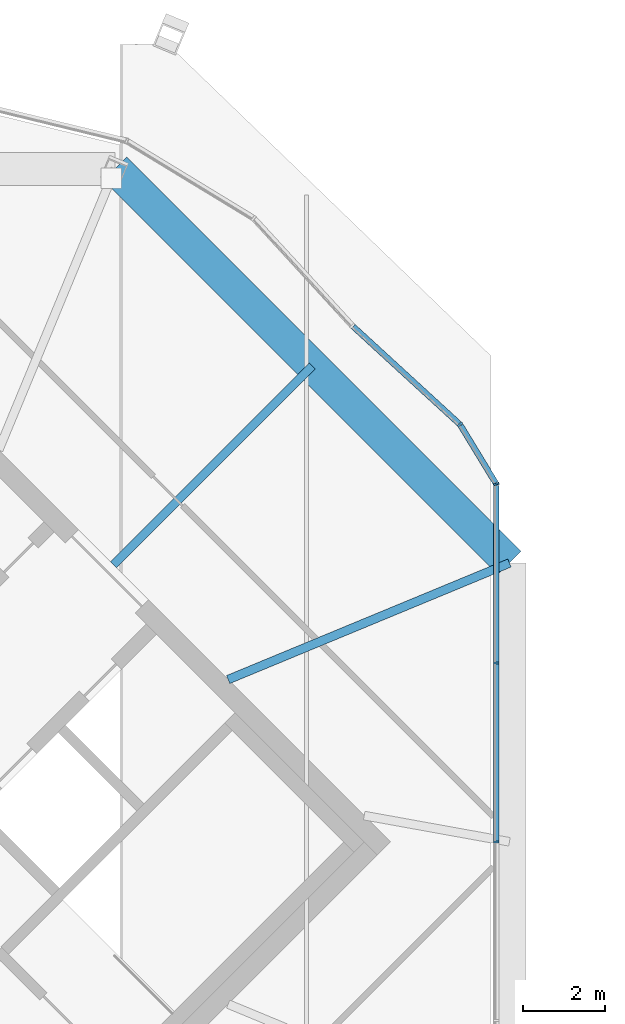
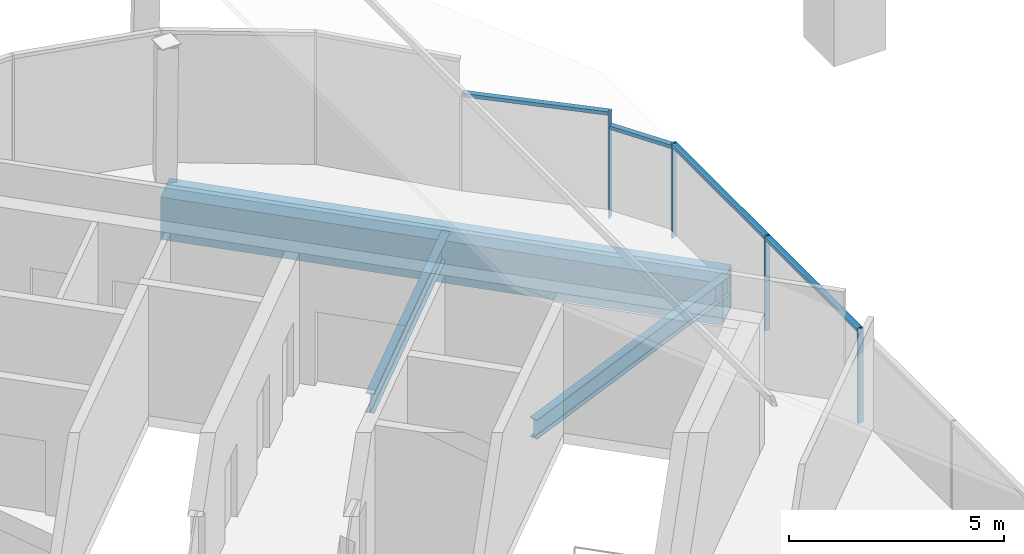
# One storey, part 15 of 23: 8 members, 3 beams, 1 element without a shape of its own.
"""IFC4 building model written with IfcOpenShell, lengths in metres."""

from ifc_helpers import new_model, si_unit, direction, frame, origin, origin_2d, place, context, subcontext, project, spatial, rectangle, hollow_rectangle, i_section, extrude, material, material_profile, profile_set, type_object, element, aggregate, save


model = new_model("IFC4")

# Units and contexts
model_context = context("Model", 3, precision=1e-05, world=origin(), true_north=direction((0.0, 1.0)))
body_context = subcontext(model_context, "Body", "Model", "MODEL_VIEW")
ifc_project = project(units=[si_unit("LENGTHUNIT", "METRE"), si_unit("AREAUNIT", "SQUARE_METRE"), si_unit("VOLUMEUNIT", "CUBIC_METRE"), si_unit("PLANEANGLEUNIT", "RADIAN"), si_unit("MASSUNIT", "GRAM", prefix="KILO")], contexts=[model_context])

# Site, building, storey
site_placement = place(None, origin())
site = spatial("IfcSite", under=ifc_project, at=site_placement, CompositionType="ELEMENT")
building_placement = place(site_placement, origin())
building = spatial("IfcBuilding", under=site, at=building_placement, Name="Ogive Gate Towers", CompositionType="ELEMENT")
storey_placement = place(building_placement, frame((0.0, 0.0, 302.0)))
storey = spatial("IfcBuildingStorey", under=building, at=storey_placement, Name="L71", CompositionType="ELEMENT", Elevation=302.0)

# Curtain wall, members
ifc_material_1 = material(Name="Pale metal aluminium", Category="aluminium")
curtain_wall_type = type_object("IfcCurtainWallType", Name="Crown lean wall", PredefinedType="NOTDEFINED", material=ifc_material_1)
curtain_wall_placement = place(storey_placement, origin())
curtain_wall = element("IfcCurtainWall", 1, at=curtain_wall_placement, inside=storey, type_object=curtain_wall_type, Name="CW5 T2 ECW01", PredefinedType="NOTDEFINED")
ifc_material_profile_1 = material_profile(ifc_material_1, rectangle(XDim=0.139892578125, YDim=0.050048828125, at=origin_2d()), Name="50 x 140 aluminium box")
ifc_profile_set_1 = profile_set([ifc_material_profile_1], Name="Pale metal aluminium")
member_type_1 = type_object("IfcMemberType", Name="Crown lean wall mullion 50 x 140", PredefinedType="MULLION", material=ifc_profile_set_1)
member_1_placement = place(storey_placement, frame((51.12158203125, 10.119384765625, -0.300048828125), z_axis=(0.0, 0.0, 1.0), x_axis=(-0.772678179868, -0.634797944511, 0.0)))
member_1 = element("IfcMember", 2, at=member_1_placement, type_object=member_type_1, Name="CW5 mullion", PredefinedType="MULLION", context=body_context, shape_type="SweptSolid", body=[
    extrude(rectangle(XDim=0.139892578125, YDim=0.050048828125, at=origin_2d()), origin(), (0.0, 0.0, 1.0), 3.025390625),
])
member_2_placement = place(storey_placement, frame((51.99951171875, 8.67578125, -0.300048828125), z_axis=(0.0, 0.0, 1.0), x_axis=(-0.962866291826, -0.269978710392, 0.0)))
member_2 = element("IfcMember", 3, at=member_2_placement, type_object=member_type_1, Name="CW5 mullion", PredefinedType="MULLION", context=body_context, shape_type="SweptSolid", body=[
    extrude(rectangle(XDim=0.139892578125, YDim=0.050048828125, at=origin_2d()), origin(), (0.0, 0.0, 1.0), 2.679931640625),
])
member_3_placement = place(storey_placement, frame((52.00048828125, 4.333740234375, -0.300048828125), z_axis=(0.0, 0.0, 1.0), x_axis=(-1.0, 0.0, 0.0)))
member_3 = element("IfcMember", 4, at=member_3_placement, type_object=member_type_1, Name="CW5 mullion", PredefinedType="MULLION", context=body_context, shape_type="SweptSolid", body=[
    extrude(rectangle(XDim=0.139892578125, YDim=0.050048828125, at=origin_2d()), origin(), (0.0, 0.0, 1.0), 2.679931640625),
])
member_4_placement = place(storey_placement, frame((52.00048828125, 0.0, -0.300048828125), z_axis=(0.0, 0.0, 1.0), x_axis=(-1.0, 0.0, 0.0)))
member_4 = element("IfcMember", 5, at=member_4_placement, type_object=member_type_1, Name="CW5 mullion", PredefinedType="MULLION", context=body_context, shape_type="SweptSolid", body=[
    extrude(rectangle(XDim=0.139892578125, YDim=0.050048828125, at=origin_2d()), origin(), (0.0, 0.0, 1.0), 2.679931640625),
])
ifc_material_profile_2 = material_profile(ifc_material_1, rectangle(XDim=0.139892578125, YDim=0.10009765625, at=origin_2d()), Name="100 x 140 aluminium box")
ifc_profile_set_2 = profile_set([ifc_material_profile_2], Name="Pale metal aluminium")
member_type_2 = type_object("IfcMemberType", Name="Crown lean wall transom 100 x 140", PredefinedType="USERDEFINED", material=ifc_profile_set_2)
member_5_placement = place(storey_placement, frame((48.52978515625, 12.496337890625, 2.67529296875), z_axis=(0.73706986576, -0.675816552763, 0.0), x_axis=(0.675816552763, 0.73706986576, 0.0)))
member_5 = element("IfcMember", 6, at=member_5_placement, type_object=member_type_2, Name="CW5 transom", ObjectType="TRANSOM", PredefinedType="USERDEFINED", context=body_context, shape_type="SweptSolid", body=[
    extrude(rectangle(XDim=0.139892578125, YDim=0.10009765625, at=origin_2d()), origin(), (0.0, 0.0, 1.0), 3.487548828125),
])
member_6_placement = place(storey_placement, frame((51.13720703125, 10.0947265625, 2.285400390625), z_axis=(0.519846993653, -0.854259388704, 0.0), x_axis=(0.854259388704, 0.519846993653, 0.0)))
member_6 = element("IfcMember", 7, at=member_6_placement, type_object=member_type_2, Name="CW5 transom", ObjectType="TRANSOM", PredefinedType="USERDEFINED", context=body_context, shape_type="SweptSolid", body=[
    extrude(rectangle(XDim=0.139892578125, YDim=0.10009765625, at=origin_2d()), origin(), (0.0, 0.0, 1.0), 1.627197265625),
])
member_7_placement = place(storey_placement, frame((52.00048828125, 8.642578125, 2.330078125), z_axis=(0.0, -1.0, 0.0), x_axis=(1.0, 0.0, 0.0)))
member_7 = element("IfcMember", 8, at=member_7_placement, type_object=member_type_2, Name="CW5 transom", ObjectType="TRANSOM", PredefinedType="USERDEFINED", context=body_context, shape_type="SweptSolid", body=[
    extrude(rectangle(XDim=0.139892578125, YDim=0.10009765625, at=origin_2d()), origin(), (0.0, 0.0, 1.0), 4.28369140625),
])
member_8_placement = place(storey_placement, frame((52.00048828125, 4.308837890625, 2.330078125), z_axis=(0.0, -1.0, 0.0), x_axis=(1.0, 0.0, 0.0)))
member_8 = element("IfcMember", 9, at=member_8_placement, type_object=member_type_2, Name="CW5 transom", ObjectType="TRANSOM", PredefinedType="USERDEFINED", context=body_context, shape_type="SweptSolid", body=[
    extrude(rectangle(XDim=0.139892578125, YDim=0.10009765625, at=origin_2d()), origin(), (0.0, 0.0, 1.0), 4.283935546875),
])
aggregate(curtain_wall, [member_1, member_5, member_2, member_6, member_3, member_7, member_4, member_8])

# Beams
ifc_material_2 = material(Name="Steel SM460", Category="steel")
ifc_material_profile_3 = material_profile(ifc_material_2, hollow_rectangle(XDim=0.800048828125, YDim=1.199951171875, WallThickness=0.050048828125, at=origin_2d()), Name="BX 1200x800x50")
ifc_profile_set_3 = profile_set([ifc_material_profile_3], Name="Steel SM460")
beam_type_1 = type_object("IfcBeamType", Name="Edge girder BX 1200x800x50", PredefinedType="BEAM", material=ifc_profile_set_3)
beam_1_placement = place(storey_placement, frame((52.3203125, 6.760009765625, -0.89990234375), z_axis=(-0.707106781187, 0.707106781187, 0.0), x_axis=(-0.707106781187, -0.707106781187, 0.0)))
element("IfcBeam", 10, at=beam_1_placement, inside=storey, type_object=beam_type_1, Name="T2/L71/SBM021", PredefinedType="BEAM", context=body_context, shape_type="SweptSolid", body=[
    extrude(hollow_rectangle(XDim=0.800048828125, YDim=1.199951171875, WallThickness=0.050048828125, at=origin_2d()), origin(), (0.0, 0.0, 1.0), 13.520263671875),
])
ifc_material_3 = material(Name="Steel SM355", Category="steel")
ifc_material_profile_4 = material_profile(ifc_material_3, i_section(OverallWidth=0.2099609375, OverallDepth=0.550048828125, WebThickness=0.010986328125, FlangeThickness=0.01708984375, FilletRadius=0.02392578125, at=origin_2d()), Name="IPE 550")
ifc_profile_set_4 = profile_set([ifc_material_profile_4], Name="Steel SM355")
beam_type_2 = type_object("IfcBeamType", Name="Radial floor beam IPE 550", PredefinedType="BEAM", material=ifc_profile_set_4)
beam_2_placement = place(storey_placement, frame((45.5, 3.93505859375, -0.574951171875), z_axis=(0.923885028825, 0.38267016282, 0.0), x_axis=(-0.38267016282, 0.923885028825, 0.0)))
element("IfcBeam", 11, at=beam_2_placement, inside=storey, type_object=beam_type_2, Name="T2/L71/SBM009", PredefinedType="BEAM", context=body_context, shape_type="SweptSolid", body=[
    extrude(i_section(OverallWidth=0.2099609375, OverallDepth=0.550048828125, WebThickness=0.010986328125, FlangeThickness=0.01708984375, FilletRadius=0.02392578125, at=origin_2d()), origin(), (0.0, 0.0, 1.0), 7.38232421875),
])
beam_3_placement = place(storey_placement, frame((42.717529296875, 6.717529296875, -0.574951171875), z_axis=(0.707106781187, 0.707106781187, 0.0), x_axis=(-0.707106781187, 0.707106781187, 0.0)))
element("IfcBeam", 12, at=beam_3_placement, inside=storey, type_object=beam_type_2, Name="T2/L71/SBM010", PredefinedType="BEAM", context=body_context, shape_type="SweptSolid", body=[
    extrude(i_section(OverallWidth=0.2099609375, OverallDepth=0.550048828125, WebThickness=0.010986328125, FlangeThickness=0.01708984375, FilletRadius=0.02392578125, at=origin_2d()), origin(), (0.0, 0.0, 1.0), 6.8203125),
])

save(model, "model.ifc")
